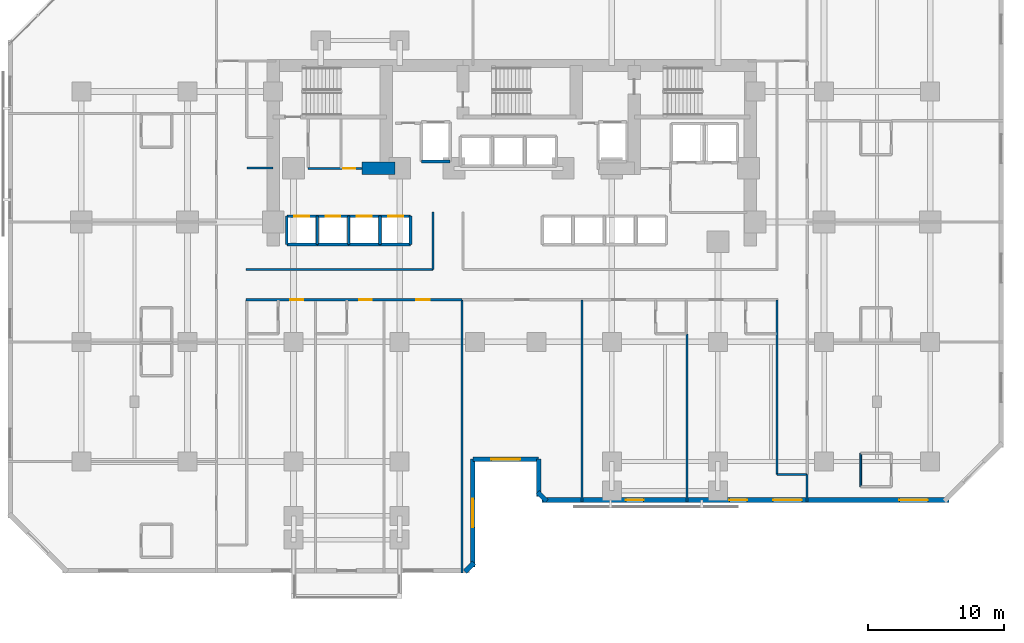
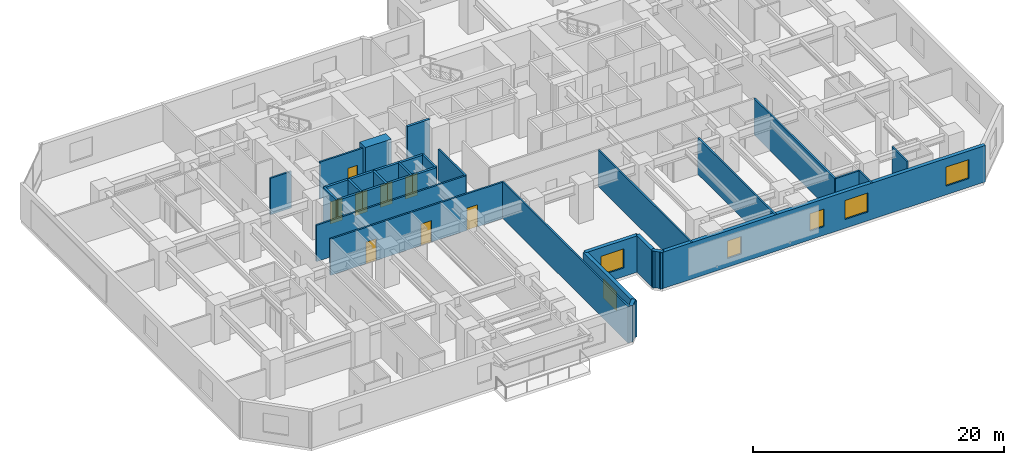
# One storey, part 6 of 12: 33 walls, 8 doors, 6 windows, 14 openings.
"""IFC4 building model written with IfcOpenShell, lengths in metres."""

from ifc_helpers import new_model, si_unit, direction, frame, frame_2d, origin, place, context, subcontext, project, spatial, rectangle, extrude, material, layer, layer_set, type_object, element, fill, save


model = new_model("IFC4")

# Units and contexts
model_context = context("Model", 3, precision=1e-05, world=origin(), true_north=direction((0.0, 1.0)))
body_context = subcontext(model_context, "Body", "Model", "MODEL_VIEW")
ifc_project = project(units=[si_unit("LENGTHUNIT", "METRE"), si_unit("AREAUNIT", "SQUARE_METRE"), si_unit("VOLUMEUNIT", "CUBIC_METRE"), si_unit("PLANEANGLEUNIT", "RADIAN"), si_unit("MASSUNIT", "GRAM", prefix="KILO")], contexts=[model_context])

# Site, building, storey
site_placement = place(None, origin())
site = spatial("IfcSite", under=ifc_project, at=site_placement, CompositionType="ELEMENT")
building_placement = place(site_placement, origin())
building = spatial("IfcBuilding", under=site, at=building_placement, Name="Kestravale Grand Hotel", CompositionType="ELEMENT")
storey_placement = place(building_placement, frame((0.0, 0.0, 64.0)))
storey = spatial("IfcBuildingStorey", under=building, at=storey_placement, Name="L15", CompositionType="ELEMENT", Elevation=64.0)

# Walls
ifc_material_1 = material(Name="Concrete f'c 70 MPa", Category="concrete")
ifc_layer_1 = layer(ifc_material_1, 0.89990234375)
ifc_layer_set_1 = layer_set([ifc_layer_1], Name="EW-CORE-900")
wall_type_1 = type_object("IfcWallType", Name="EW-CORE-900", PredefinedType="SHEAR", material=ifc_layer_set_1)
wall_1_placement = place(storey_placement, frame((28.449951171875, 32.75, 0.0), z_axis=(0.0, 0.0, 1.0), x_axis=(1.0, 0.0, 0.0)))
element("IfcWall", 1, at=wall_1_placement, inside=storey, type_object=wall_type_1, Name="L15 core shear wall S1", PredefinedType="SHEAR", context=body_context, shape_type="SweptSolid", body=[
    extrude(rectangle(XDim=2.400146484375, YDim=0.89990234375, at=frame_2d((1.2001953125, 0.0))), origin(), (0.0, 0.0, 1.0), 3.800048828125),
])
ifc_material_2 = material(Name="Precast concrete f'c 45 MPa", Category="concrete")
ifc_layer_2 = layer(ifc_material_2, 0.340087890625)
ifc_layer_set_2 = layer_set([ifc_layer_2], Name="EW-PREC-340")
wall_type_2 = type_object("IfcWallType", Name="EW-PREC-340", PredefinedType="SOLIDWALL", material=ifc_layer_set_2)
wall_2_placement = place(storey_placement, frame((36.00146484375, 3.091796875, 0.0), z_axis=(0.0, 0.0, 1.0), x_axis=(0.707106781187, 0.707106781187, 0.0)))
element("IfcWall", 2, at=wall_2_placement, inside=storey, type_object=wall_type_2, Name="L15 fluted precast facade wall 2", PredefinedType="SOLIDWALL", context=body_context, shape_type="SweptSolid", body=[
    extrude(rectangle(XDim=0.9287109375, YDim=0.340087890625, at=frame_2d((0.46435546875, 0.0))), origin(), (0.0, 0.0, 1.0), 3.5400390625),
])

# Wall, opening, window
wall_3_placement = place(storey_placement, frame((36.580078125, 3.429931640625, 0.0), z_axis=(0.0, 0.0, 1.0), x_axis=(0.0, 1.0, 0.0)))
wall_3 = element("IfcWall", 3, at=wall_3_placement, inside=storey, type_object=wall_type_2, Name="L15 fluted precast facade wall 3", PredefinedType="SOLIDWALL", context=body_context, shape_type="SweptSolid", body=[
    extrude(rectangle(XDim=7.940185546875, YDim=0.340087890625, at=frame_2d((3.97021484375, 0.0))), origin(), (0.0, 0.0, 1.0), 3.5400390625),
])
opening_1_placement = place(wall_3_placement, frame((2.919921875, 0.0, 0.85009765625)))
opening_1 = element("IfcOpeningElement", 4, at=opening_1_placement, cuts=wall_3, Name="Opening W-GUEST-2100", PredefinedType="OPENING", context=body_context, shape_type="SweptSolid", body=[
    extrude(rectangle(XDim=2.10009765625, YDim=1.85009765625, at=frame_2d((1.050048828125, 0.925048828125))), frame((0.0, 0.179931640625, 0.0), z_axis=(0.0, -1.0, 0.0), x_axis=(1.0, 0.0, 0.0)), (0.0, 0.0, 1.0), 0.360107421875),
])
ifc_material_3 = material(Name="Insulated low-E double glazing in aluminium frame", Category="aluminium")
window_type_1 = type_object("IfcWindowType", Name="W-GUEST-2100", PartitioningType="DOUBLE_PANEL_VERTICAL", PredefinedType="WINDOW", material=ifc_material_3)
window_1_placement = place(opening_1_placement, origin())
window_1 = element("IfcWindow", 5, at=window_1_placement, inside=storey, type_object=window_type_1, Name="L15 exterior window 3.1", OverallHeight=1.85009765625, OverallWidth=2.10009765625, PartitioningType="SINGLE_PANEL", PredefinedType="WINDOW", context=body_context, shape_type="SweptSolid", body=[
    extrude(rectangle(XDim=2.10009765625, YDim=1.85009765625, at=frame_2d((1.050048828125, 0.925048828125))), frame((0.0, 0.030029296875, 0.0), z_axis=(0.0, -1.0, 0.0), x_axis=(1.0, 0.0, 0.0)), (0.0, 0.0, 1.0), 0.06005859375),
])
fill(opening_1, window_1)

wall_4_placement = place(storey_placement, frame((36.580078125, 11.3701171875, 0.0), z_axis=(0.0, 0.0, 1.0), x_axis=(1.0, 0.0, 0.0)))
wall_4 = element("IfcWall", 6, at=wall_4_placement, inside=storey, type_object=wall_type_2, Name="L15 fluted precast facade wall 4", PredefinedType="SOLIDWALL", context=body_context, shape_type="SweptSolid", body=[
    extrude(rectangle(XDim=4.83984375, YDim=0.340087890625, at=frame_2d((2.419921875, 0.0))), origin(), (0.0, 0.0, 1.0), 3.5400390625),
])
opening_2_placement = place(wall_4_placement, frame((1.3701171875, 0.0, 0.85009765625)))
opening_2 = element("IfcOpeningElement", 7, at=opening_2_placement, cuts=wall_4, Name="Opening W-GUEST-2100", PredefinedType="OPENING", context=body_context, shape_type="SweptSolid", body=[
    extrude(rectangle(XDim=2.10009765625, YDim=1.85009765625, at=frame_2d((1.050048828125, 0.925048828125))), frame((0.0, 0.179931640625, 0.0), z_axis=(0.0, -1.0, 0.0), x_axis=(1.0, 0.0, 0.0)), (0.0, 0.0, 1.0), 0.360107421875),
])
window_2_placement = place(opening_2_placement, origin())
window_2 = element("IfcWindow", 8, at=window_2_placement, inside=storey, type_object=window_type_1, Name="L15 exterior window 4.1", OverallHeight=1.85009765625, OverallWidth=2.10009765625, PartitioningType="SINGLE_PANEL", PredefinedType="WINDOW", context=body_context, shape_type="SweptSolid", body=[
    extrude(rectangle(XDim=2.10009765625, YDim=1.85009765625, at=frame_2d((1.050048828125, 0.925048828125))), frame((0.0, 0.030029296875, 0.0), z_axis=(0.0, -1.0, 0.0), x_axis=(1.0, 0.0, 0.0)), (0.0, 0.0, 1.0), 0.06005859375),
])
fill(opening_2, window_2)

# Walls
wall_5_placement = place(storey_placement, frame((41.419921875, 11.3701171875, 0.0), z_axis=(0.0, 0.0, 1.0), x_axis=(0.0, -1.0, 0.0)))
element("IfcWall", 9, at=wall_5_placement, inside=storey, type_object=wall_type_2, Name="L15 fluted precast facade wall 5", PredefinedType="SOLIDWALL", context=body_context, shape_type="SweptSolid", body=[
    extrude(rectangle(XDim=2.740234375, YDim=0.340087890625, at=frame_2d((1.3701171875, 0.0))), origin(), (0.0, 0.0, 1.0), 3.5400390625),
])
wall_6_placement = place(storey_placement, frame((41.341796875, 8.948486328125, 0.0), z_axis=(0.0, 0.0, 1.0), x_axis=(0.707238225886, -0.706975312048, 0.0)))
element("IfcWall", 10, at=wall_6_placement, inside=storey, type_object=wall_type_2, Name="L15 fluted precast facade wall 6", PredefinedType="SOLIDWALL", context=body_context, shape_type="SweptSolid", body=[
    extrude(rectangle(XDim=0.9287109375, YDim=0.340087890625, at=frame_2d((0.46435546875, 0.0))), origin(), (0.0, 0.0, 1.0), 3.5400390625),
])

# Wall, openings, windows
wall_7_placement = place(storey_placement, frame((41.679931640625, 8.3701171875, 0.0), z_axis=(0.0, 0.0, 1.0), x_axis=(1.0, 0.0, 0.0)))
wall_7 = element("IfcWall", 11, at=wall_7_placement, inside=storey, type_object=wall_type_2, Name="L15 fluted precast facade wall 7", PredefinedType="SOLIDWALL", context=body_context, shape_type="SweptSolid", body=[
    extrude(rectangle(XDim=29.89013671875, YDim=0.340087890625, at=frame_2d((14.945068359375, 0.0))), origin(), (0.0, 0.0, 1.0), 3.5400390625),
])
opening_3_placement = place(wall_7_placement, frame((16.981201171875, 0.0, 0.85009765625)))
opening_3 = element("IfcOpeningElement", 12, at=opening_3_placement, cuts=wall_7, Name="Opening W-GUEST-2100", PredefinedType="OPENING", context=body_context, shape_type="SweptSolid", body=[
    extrude(rectangle(XDim=2.10009765625, YDim=1.85009765625, at=frame_2d((1.050048828125, 0.925048828125))), frame((0.0, 0.179931640625, 0.0), z_axis=(0.0, -1.0, 0.0), x_axis=(1.0, 0.0, 0.0)), (0.0, 0.0, 1.0), 0.360107421875),
])
opening_4_placement = place(wall_7_placement, frame((26.253662109375, 0.0, 0.85009765625)))
opening_4 = element("IfcOpeningElement", 13, at=opening_4_placement, cuts=wall_7, Name="Opening W-GUEST-2100", PredefinedType="OPENING", context=body_context, shape_type="SweptSolid", body=[
    extrude(rectangle(XDim=2.10009765625, YDim=1.85009765625, at=frame_2d((1.050048828125, 0.925048828125))), frame((0.0, 0.179931640625, 0.0), z_axis=(0.0, -1.0, 0.0), x_axis=(1.0, 0.0, 0.0)), (0.0, 0.0, 1.0), 0.360107421875),
])
opening_5_placement = place(wall_7_placement, frame((6.14990234375, 0.0, 0.85009765625)))
opening_5 = element("IfcOpeningElement", 14, at=opening_5_placement, cuts=wall_7, Name="Opening W-GUEST-1300", PredefinedType="OPENING", context=body_context, shape_type="SweptSolid", body=[
    extrude(rectangle(XDim=1.300048828125, YDim=1.699951171875, at=frame_2d((0.64990234375, 0.85009765625))), frame((0.0, 0.179931640625, 0.0), z_axis=(0.0, -1.0, 0.0), x_axis=(1.0, 0.0, 0.0)), (0.0, 0.0, 1.0), 0.360107421875),
])
opening_6_placement = place(wall_7_placement, frame((13.76318359375, 0.0, 0.85009765625)))
opening_6 = element("IfcOpeningElement", 15, at=opening_6_placement, cuts=wall_7, Name="Opening W-GUEST-1300", PredefinedType="OPENING", context=body_context, shape_type="SweptSolid", body=[
    extrude(rectangle(XDim=1.300048828125, YDim=1.699951171875, at=frame_2d((0.64990234375, 0.85009765625))), frame((0.0, 0.179931640625, 0.0), z_axis=(0.0, -1.0, 0.0), x_axis=(1.0, 0.0, 0.0)), (0.0, 0.0, 1.0), 0.360107421875),
])
ifc_material_4 = material(Name="Insulated low-E double glazing in aluminium frame", Category="aluminium")
window_type_2 = type_object("IfcWindowType", Name="W-GUEST-1300", PartitioningType="SINGLE_PANEL", PredefinedType="WINDOW", material=ifc_material_4)
window_3_placement = place(opening_5_placement, origin())
window_3 = element("IfcWindow", 16, at=window_3_placement, inside=storey, type_object=window_type_2, Name="L15 guestroom envelope window 2", OverallHeight=1.699951171875, OverallWidth=1.300048828125, PartitioningType="SINGLE_PANEL", PredefinedType="WINDOW", context=body_context, shape_type="SweptSolid", body=[
    extrude(rectangle(XDim=1.300048828125, YDim=1.699951171875, at=frame_2d((0.64990234375, 0.85009765625))), frame((0.0, 0.030029296875, 0.0), z_axis=(0.0, -1.0, 0.0), x_axis=(1.0, 0.0, 0.0)), (0.0, 0.0, 1.0), 0.06005859375),
])
fill(opening_5, window_3)
window_4_placement = place(opening_6_placement, origin())
window_4 = element("IfcWindow", 17, at=window_4_placement, inside=storey, type_object=window_type_2, Name="L15 guestroom envelope window 3", OverallHeight=1.699951171875, OverallWidth=1.300048828125, PartitioningType="SINGLE_PANEL", PredefinedType="WINDOW", context=body_context, shape_type="SweptSolid", body=[
    extrude(rectangle(XDim=1.300048828125, YDim=1.699951171875, at=frame_2d((0.64990234375, 0.85009765625))), frame((0.0, 0.030029296875, 0.0), z_axis=(0.0, -1.0, 0.0), x_axis=(1.0, 0.0, 0.0)), (0.0, 0.0, 1.0), 0.06005859375),
])
fill(opening_6, window_4)
window_5_placement = place(opening_3_placement, origin())
window_5 = element("IfcWindow", 18, at=window_5_placement, inside=storey, type_object=window_type_1, Name="L15 exterior window 7.1", OverallHeight=1.85009765625, OverallWidth=2.10009765625, PartitioningType="SINGLE_PANEL", PredefinedType="WINDOW", context=body_context, shape_type="SweptSolid", body=[
    extrude(rectangle(XDim=2.10009765625, YDim=1.85009765625, at=frame_2d((1.050048828125, 0.925048828125))), frame((0.0, 0.030029296875, 0.0), z_axis=(0.0, -1.0, 0.0), x_axis=(1.0, 0.0, 0.0)), (0.0, 0.0, 1.0), 0.06005859375),
])
fill(opening_3, window_5)
window_6_placement = place(opening_4_placement, origin())
window_6 = element("IfcWindow", 19, at=window_6_placement, inside=storey, type_object=window_type_1, Name="L15 exterior window 7.2", OverallHeight=1.85009765625, OverallWidth=2.10009765625, PartitioningType="SINGLE_PANEL", PredefinedType="WINDOW", context=body_context, shape_type="SweptSolid", body=[
    extrude(rectangle(XDim=2.10009765625, YDim=1.85009765625, at=frame_2d((1.050048828125, 0.925048828125))), frame((0.0, 0.030029296875, 0.0), z_axis=(0.0, -1.0, 0.0), x_axis=(1.0, 0.0, 0.0)), (0.0, 0.0, 1.0), 0.06005859375),
])
fill(opening_4, window_6)

# Wall, opening, door
ifc_material_5 = material(Name="Acoustic fire-rated gypsum board partition", Category="other")
ifc_layer_3 = layer(ifc_material_5, 0.159912109375)
ifc_layer_set_3 = layer_set([ifc_layer_3], Name="IW-CORR-160")
wall_type_3 = type_object("IfcWallType", Name="IW-CORR-160", PredefinedType="PARTITIONING", material=ifc_layer_set_3)
wall_8_placement = place(storey_placement, frame((24.47998046875, 32.75, 0.0), z_axis=(0.0, 0.0, 1.0), x_axis=(1.0, 0.0, 0.0)))
wall_8 = element("IfcWall", 20, at=wall_8_placement, inside=storey, type_object=wall_type_3, Name="W-L15-CWS", PredefinedType="PARTITIONING", context=body_context, shape_type="SweptSolid", body=[
    extrude(rectangle(XDim=3.969970703125, YDim=0.159912109375, at=frame_2d((1.98486328125, 0.0))), origin(), (0.0, 0.0, 1.0), 3.5400390625),
])
opening_7_placement = place(wall_8_placement, frame((2.574951171875, 0.0, 0.0)))
opening_7 = element("IfcOpeningElement", 21, at=opening_7_placement, cuts=wall_8, Name="Opening D-BATH-880", PredefinedType="OPENING", context=body_context, shape_type="SweptSolid", body=[
    extrude(rectangle(XDim=0.8798828125, YDim=2.050048828125, at=frame_2d((0.43994140625, 1.02490234375))), frame((0.0, 0.08984375, 0.0), z_axis=(0.0, -1.0, 0.0), x_axis=(1.0, 0.0, 0.0)), (0.0, 0.0, 1.0), 0.179931640625),
])
ifc_material_6 = material(Name="Moisture-sealed walnut en-suite bathroom door", Category="wood")
door_type_1 = type_object("IfcDoorType", Name="D-BATH-880", OperationType="NOTDEFINED", PredefinedType="DOOR", material=ifc_material_6)
door_1_placement = place(opening_7_placement, origin())
door_1 = element("IfcDoor", 22, at=door_1_placement, inside=storey, type_object=door_type_1, Name="D-L15-SWC", OperationType="SINGLE_SWING_RIGHT", OverallHeight=2.050048828125, OverallWidth=0.8798828125, PredefinedType="DOOR", context=body_context, shape_type="SweptSolid", body=[
    extrude(rectangle(XDim=0.8798828125, YDim=2.050048828125, at=frame_2d((0.43994140625, 1.02490234375))), frame((0.0, 0.02490234375, 0.0), z_axis=(0.0, -1.0, 0.0), x_axis=(1.0, 0.0, 0.0)), (0.0, 0.0, 1.0), 0.050048828125),
])
fill(opening_7, door_1)

# Walls
wall_9_placement = place(storey_placement, frame((19.89990234375, 25.31005859375, 0.0), z_axis=(0.0, 0.0, 1.0), x_axis=(1.0, 0.0, 0.0)))
element("IfcWall", 23, at=wall_9_placement, inside=storey, type_object=wall_type_3, Name="W-L15-CW-N", PredefinedType="PARTITIONING", context=body_context, shape_type="SweptSolid", body=[
    extrude(rectangle(XDim=13.75, YDim=0.159912109375, at=frame_2d((6.875, 0.0))), origin(), (0.0, 0.0, 1.0), 3.5400390625),
])
wall_10_placement = place(storey_placement, frame((33.64990234375, 25.31005859375, 0.0), z_axis=(0.0, 0.0, 1.0), x_axis=(0.0, 1.0, 0.0)))
element("IfcWall", 24, at=wall_10_placement, inside=storey, type_object=wall_type_3, Name="W-L15-TRUNK-W", PredefinedType="PARTITIONING", context=body_context, shape_type="SweptSolid", body=[
    extrude(rectangle(XDim=4.239990234375, YDim=0.159912109375, at=frame_2d((2.1201171875, 0.0))), origin(), (0.0, 0.0, 1.0), 3.5400390625),
])

# Wall, openings, doors
wall_11_placement = place(storey_placement, frame((19.89990234375, 23.090087890625, 0.0), z_axis=(0.0, 0.0, 1.0), x_axis=(1.0, 0.0, 0.0)))
wall_11 = element("IfcWall", 25, at=wall_11_placement, inside=storey, type_object=wall_type_3, Name="W-L15-CW-S", PredefinedType="PARTITIONING", context=body_context, shape_type="SweptSolid", body=[
    extrude(rectangle(XDim=15.900146484375, YDim=0.159912109375, at=frame_2d((7.9501953125, 0.0))), origin(), (0.0, 0.0, 1.0), 3.5400390625),
])
opening_8_placement = place(wall_11_placement, frame((3.264892578125, 0.0, 0.0)))
opening_8 = element("IfcOpeningElement", 26, at=opening_8_placement, cuts=wall_11, Name="Opening D-GUEST-950", PredefinedType="OPENING", context=body_context, shape_type="SweptSolid", body=[
    extrude(rectangle(XDim=0.949951171875, YDim=2.10009765625, at=frame_2d((0.47509765625, 1.050048828125))), frame((0.0, 0.08984375, 0.0), z_axis=(0.0, -1.0, 0.0), x_axis=(1.0, 0.0, 0.0)), (0.0, 0.0, 1.0), 0.179931640625),
])
opening_9_placement = place(wall_11_placement, frame((8.31494140625, 0.0, 0.0)))
opening_9 = element("IfcOpeningElement", 27, at=opening_9_placement, cuts=wall_11, Name="Opening D-GUEST-950", PredefinedType="OPENING", context=body_context, shape_type="SweptSolid", body=[
    extrude(rectangle(XDim=0.949951171875, YDim=2.10009765625, at=frame_2d((0.47509765625, 1.050048828125))), frame((0.0, 0.08984375, 0.0), z_axis=(0.0, -1.0, 0.0), x_axis=(1.0, 0.0, 0.0)), (0.0, 0.0, 1.0), 0.179931640625),
])
opening_10_placement = place(wall_11_placement, frame((12.530029296875, 0.0, 0.0)))
opening_10 = element("IfcOpeningElement", 28, at=opening_10_placement, cuts=wall_11, Name="Opening D-GUEST-1000", PredefinedType="OPENING", context=body_context, shape_type="SweptSolid", body=[
    extrude(rectangle(XDim=1.0, YDim=2.14990234375, at=frame_2d((0.5, 1.074951171875))), frame((0.0, 0.08984375, 0.0), z_axis=(0.0, -1.0, 0.0), x_axis=(1.0, 0.0, 0.0)), (0.0, 0.0, 1.0), 0.179931640625),
])
ifc_material_7 = material(Name="Accessible walnut veneer hotel entrance fire door", Category="wood")
door_type_2 = type_object("IfcDoorType", Name="D-GUEST-1000", OperationType="NOTDEFINED", PredefinedType="DOOR", material=ifc_material_7)
door_2_placement = place(opening_10_placement, origin())
door_2 = element("IfcDoor", 29, at=door_2_placement, inside=storey, type_object=door_type_2, Name="D-L15-AMW", OperationType="SINGLE_SWING_LEFT", OverallHeight=2.14990234375, OverallWidth=1.0, PredefinedType="DOOR", context=body_context, shape_type="SweptSolid", body=[
    extrude(rectangle(XDim=1.0, YDim=2.14990234375, at=frame_2d((0.5, 1.074951171875))), frame((0.0, 0.02490234375, 0.0), z_axis=(0.0, -1.0, 0.0), x_axis=(1.0, 0.0, 0.0)), (0.0, 0.0, 1.0), 0.050048828125),
])
fill(opening_10, door_2)
ifc_material_8 = material(Name="Walnut veneer hotel guestroom entrance fire door", Category="wood")
door_type_3 = type_object("IfcDoorType", Name="D-GUEST-950", OperationType="NOTDEFINED", PredefinedType="DOOR", material=ifc_material_8)
door_3_placement = place(opening_8_placement, origin())
door_3 = element("IfcDoor", 30, at=door_3_placement, inside=storey, type_object=door_type_3, Name="D-L15-U01-ENT", OperationType="SINGLE_SWING_RIGHT", OverallHeight=2.10009765625, OverallWidth=0.949951171875, PredefinedType="DOOR", context=body_context, shape_type="SweptSolid", body=[
    extrude(rectangle(XDim=0.949951171875, YDim=2.10009765625, at=frame_2d((0.47509765625, 1.050048828125))), frame((0.0, 0.02490234375, 0.0), z_axis=(0.0, -1.0, 0.0), x_axis=(1.0, 0.0, 0.0)), (0.0, 0.0, 1.0), 0.050048828125),
])
fill(opening_8, door_3)
door_4_placement = place(opening_9_placement, origin())
door_4 = element("IfcDoor", 31, at=door_4_placement, inside=storey, type_object=door_type_3, Name="D-L15-U02-ENT", OperationType="SINGLE_SWING_RIGHT", OverallHeight=2.10009765625, OverallWidth=0.949951171875, PredefinedType="DOOR", context=body_context, shape_type="SweptSolid", body=[
    extrude(rectangle(XDim=0.949951171875, YDim=2.10009765625, at=frame_2d((0.47509765625, 1.050048828125))), frame((0.0, 0.02490234375, 0.0), z_axis=(0.0, -1.0, 0.0), x_axis=(1.0, 0.0, 0.0)), (0.0, 0.0, 1.0), 0.050048828125),
])
fill(opening_9, door_4)

# Walls
wall_12_placement = place(storey_placement, frame((19.9599609375, 32.780029296875, 0.0), z_axis=(0.0, 0.0, 1.0), x_axis=(1.0, 0.0, 0.0)))
element("IfcWall", 32, at=wall_12_placement, inside=storey, type_object=wall_type_3, Name="W-L15-SW-CS", PredefinedType="PARTITIONING", context=body_context, shape_type="SweptSolid", body=[
    extrude(rectangle(XDim=1.93994140625, YDim=0.159912109375, at=frame_2d((0.969970703125, 0.0))), origin(), (0.0, 0.0, 1.0), 3.5400390625),
])
wall_13_placement = place(storey_placement, frame((58.93994140625, 10.25, 0.0), z_axis=(0.0, 0.0, 1.0), x_axis=(0.0, 1.0, 0.0)))
element("IfcWall", 33, at=wall_13_placement, inside=storey, type_object=wall_type_3, Name="W-L15-SE-W", PredefinedType="PARTITIONING", context=body_context, shape_type="SweptSolid", body=[
    extrude(rectangle(XDim=12.840087890625, YDim=0.159912109375, at=frame_2d((6.419921875, 0.0))), origin(), (0.0, 0.0, 1.0), 3.5400390625),
])
ifc_material_9 = material(Name="Moisture-resistant tile-backer plumbing chase wall", Category="other")
ifc_layer_4 = layer(ifc_material_9, 0.139892578125)
ifc_layer_set_4 = layer_set([ifc_layer_4], Name="IW-PLB-140")
wall_type_4 = type_object("IfcWallType", Name="IW-PLB-140", PredefinedType="PLUMBINGWALL", material=ifc_layer_set_4)
wall_14_placement = place(storey_placement, frame((65.10009765625, 9.35009765625, 0.0), z_axis=(0.0, 0.0, 1.0), x_axis=(0.0, 1.0, 0.0)))
element("IfcWall", 34, at=wall_14_placement, inside=storey, type_object=wall_type_4, Name="W-L15-U09-BW", PredefinedType="PLUMBINGWALL", context=body_context, shape_type="SweptSolid", body=[
    extrude(rectangle(XDim=2.449951171875, YDim=0.139892578125, at=frame_2d((1.22509765625, 0.0))), origin(), (0.0, 0.0, 1.0), 3.5400390625),
])
ifc_material_10 = material(Name="Concrete f'c 45 MPa", Category="concrete")
ifc_layer_5 = layer(ifc_material_10, 0.199951171875)
ifc_layer_set_5 = layer_set([ifc_layer_5], Name="IW-SHAFT-200")
wall_type_5 = type_object("IfcWallType", Name="IW-SHAFT-200", PredefinedType="SHEAR", material=ifc_layer_set_5)
for number, where, z_axis, x_axis, name in (
    (35, (22.905029296875, 27.169921875, 0.0), (0.0, 0.0, 1.0), (0.0, 1.0, 0.0), "L15 PL-L1 west shaft wall"),
    (36, (25.14990234375, 27.169921875, 0.0), (0.0, 0.0, 1.0), (0.0, 1.0, 0.0), "L15 PL-L2 west shaft wall"),
    (37, (27.449951171875, 27.169921875, 0.0), (0.0, 0.0, 1.0), (0.0, 1.0, 0.0), "L15 PL-L3 west shaft wall"),
    (38, (29.75, 27.169921875, 0.0), (0.0, 0.0, 1.0), (0.0, 1.0, 0.0), "L15 PL-L4 west shaft wall"),
    (39, (31.9951171875, 27.169921875, 0.0), (0.0, 0.0, 1.0), (0.0, 1.0, 0.0), "L15 PL-L4 east shaft wall"),
):
    element("IfcWall", number, at=place(storey_placement, frame(where, z_axis=z_axis, x_axis=x_axis)), inside=storey, type_object=wall_type_5, Name=name, PredefinedType="SHEAR", context=body_context, shape_type="SweptSolid", body=[
        extrude(rectangle(XDim=2.06005859375, YDim=0.199951171875, at=frame_2d((1.030029296875, 0.0))), origin(), (0.0, 0.0, 1.0), 3.800048828125),
    ])

# Wall, opening, door
ifc_material_11 = material(Name="Concrete f'c 45 MPa", Category="concrete")
ifc_layer_6 = layer(ifc_material_11, 0.219970703125)
ifc_layer_set_6 = layer_set([ifc_layer_6], Name="IW-SHAFT-220")
wall_type_6 = type_object("IfcWallType", Name="IW-SHAFT-220", PredefinedType="SHEAR", material=ifc_layer_set_6)
wall_15_placement = place(storey_placement, frame((22.905029296875, 29.22998046875, 0.0), z_axis=(0.0, 0.0, 1.0), x_axis=(1.0, 0.0, 0.0)))
wall_15 = element("IfcWall", 40, at=wall_15_placement, inside=storey, type_object=wall_type_6, Name="L15 PL-L1 north shaft wall", PredefinedType="SHEAR", context=body_context, shape_type="SweptSolid", body=[
    extrude(rectangle(XDim=2.244873046875, YDim=0.219970703125, at=frame_2d((1.12255859375, 0.0))), origin(), (0.0, 0.0, 1.0), 3.800048828125),
])
opening_11_placement = place(wall_15_placement, frame((0.544921875, 0.0, 0.0)))
opening_11 = element("IfcOpeningElement", 41, at=opening_11_placement, cuts=wall_15, Name="Opening LD-PAX-1100", PredefinedType="OPENING", context=body_context, shape_type="SweptSolid", body=[
    extrude(rectangle(XDim=1.10009765625, YDim=2.14990234375, at=frame_2d((0.550048828125, 1.074951171875))), frame((0.0, 0.119873046875, 0.0), z_axis=(0.0, -1.0, 0.0), x_axis=(1.0, 0.0, 0.0)), (0.0, 0.0, 1.0), 0.239990234375),
])
ifc_material_12 = material(Name="Champagne-bronze center-opening sliding elevator landing door", Category="steel")
door_type_4 = type_object("IfcDoorType", Name="LD-PAX-1100", OperationType="NOTDEFINED", PredefinedType="DOOR", material=ifc_material_12)
door_5_placement = place(opening_11_placement, origin())
door_5 = element("IfcDoor", 42, at=door_5_placement, inside=storey, type_object=door_type_4, Name="L15 PL-L1 elevator landing sliding door", OperationType="DOUBLE_DOOR_SLIDING", OverallHeight=2.14990234375, OverallWidth=1.10009765625, PredefinedType="DOOR", context=body_context, shape_type="SweptSolid", body=[
    extrude(rectangle(XDim=1.10009765625, YDim=2.14990234375, at=frame_2d((0.550048828125, 1.074951171875))), frame((0.0, 0.02490234375, 0.0), z_axis=(0.0, -1.0, 0.0), x_axis=(1.0, 0.0, 0.0)), (0.0, 0.0, 1.0), 0.050048828125),
])
fill(opening_11, door_5)

# Wall
wall_16_placement = place(storey_placement, frame((22.905029296875, 27.169921875, 0.0), z_axis=(0.0, 0.0, 1.0), x_axis=(1.0, 0.0, 0.0)))
element("IfcWall", 43, at=wall_16_placement, inside=storey, type_object=wall_type_6, Name="L15 PL-L1 south shaft wall", PredefinedType="SHEAR", context=body_context, shape_type="SweptSolid", body=[
    extrude(rectangle(XDim=2.244873046875, YDim=0.219970703125, at=frame_2d((1.12255859375, 0.0))), origin(), (0.0, 0.0, 1.0), 3.800048828125),
])

# Wall, opening, door
wall_17_placement = place(storey_placement, frame((25.14990234375, 29.22998046875, 0.0), z_axis=(0.0, 0.0, 1.0), x_axis=(1.0, 0.0, 0.0)))
wall_17 = element("IfcWall", 44, at=wall_17_placement, inside=storey, type_object=wall_type_6, Name="L15 PL-L2 north shaft wall", PredefinedType="SHEAR", context=body_context, shape_type="SweptSolid", body=[
    extrude(rectangle(XDim=2.300048828125, YDim=0.219970703125, at=frame_2d((1.14990234375, 0.0))), origin(), (0.0, 0.0, 1.0), 3.800048828125),
])
opening_12_placement = place(wall_17_placement, frame((0.60009765625, 0.0, 0.0)))
opening_12 = element("IfcOpeningElement", 45, at=opening_12_placement, cuts=wall_17, Name="Opening LD-PAX-1100", PredefinedType="OPENING", context=body_context, shape_type="SweptSolid", body=[
    extrude(rectangle(XDim=1.10009765625, YDim=2.14990234375, at=frame_2d((0.550048828125, 1.074951171875))), frame((0.0, 0.119873046875, 0.0), z_axis=(0.0, -1.0, 0.0), x_axis=(1.0, 0.0, 0.0)), (0.0, 0.0, 1.0), 0.239990234375),
])
door_6_placement = place(opening_12_placement, origin())
door_6 = element("IfcDoor", 46, at=door_6_placement, inside=storey, type_object=door_type_4, Name="L15 PL-L2 elevator landing sliding door", OperationType="DOUBLE_DOOR_SLIDING", OverallHeight=2.14990234375, OverallWidth=1.10009765625, PredefinedType="DOOR", context=body_context, shape_type="SweptSolid", body=[
    extrude(rectangle(XDim=1.10009765625, YDim=2.14990234375, at=frame_2d((0.550048828125, 1.074951171875))), frame((0.0, 0.02490234375, 0.0), z_axis=(0.0, -1.0, 0.0), x_axis=(1.0, 0.0, 0.0)), (0.0, 0.0, 1.0), 0.050048828125),
])
fill(opening_12, door_6)

# Wall
wall_18_placement = place(storey_placement, frame((25.14990234375, 27.169921875, 0.0), z_axis=(0.0, 0.0, 1.0), x_axis=(1.0, 0.0, 0.0)))
element("IfcWall", 47, at=wall_18_placement, inside=storey, type_object=wall_type_6, Name="L15 PL-L2 south shaft wall", PredefinedType="SHEAR", context=body_context, shape_type="SweptSolid", body=[
    extrude(rectangle(XDim=2.300048828125, YDim=0.219970703125, at=frame_2d((1.14990234375, 0.0))), origin(), (0.0, 0.0, 1.0), 3.800048828125),
])

# Wall, opening, door
wall_19_placement = place(storey_placement, frame((27.449951171875, 29.22998046875, 0.0), z_axis=(0.0, 0.0, 1.0), x_axis=(1.0, 0.0, 0.0)))
wall_19 = element("IfcWall", 48, at=wall_19_placement, inside=storey, type_object=wall_type_6, Name="L15 PL-L3 north shaft wall", PredefinedType="SHEAR", context=body_context, shape_type="SweptSolid", body=[
    extrude(rectangle(XDim=2.300048828125, YDim=0.219970703125, at=frame_2d((1.14990234375, 0.0))), origin(), (0.0, 0.0, 1.0), 3.800048828125),
])
opening_13_placement = place(wall_19_placement, frame((0.60009765625, 0.0, 0.0)))
opening_13 = element("IfcOpeningElement", 49, at=opening_13_placement, cuts=wall_19, Name="Opening LD-PAX-1100", PredefinedType="OPENING", context=body_context, shape_type="SweptSolid", body=[
    extrude(rectangle(XDim=1.10009765625, YDim=2.14990234375, at=frame_2d((0.550048828125, 1.074951171875))), frame((0.0, 0.119873046875, 0.0), z_axis=(0.0, -1.0, 0.0), x_axis=(1.0, 0.0, 0.0)), (0.0, 0.0, 1.0), 0.239990234375),
])
door_7_placement = place(opening_13_placement, origin())
door_7 = element("IfcDoor", 50, at=door_7_placement, inside=storey, type_object=door_type_4, Name="L15 PL-L3 elevator landing sliding door", OperationType="DOUBLE_DOOR_SLIDING", OverallHeight=2.14990234375, OverallWidth=1.10009765625, PredefinedType="DOOR", context=body_context, shape_type="SweptSolid", body=[
    extrude(rectangle(XDim=1.10009765625, YDim=2.14990234375, at=frame_2d((0.550048828125, 1.074951171875))), frame((0.0, 0.02490234375, 0.0), z_axis=(0.0, -1.0, 0.0), x_axis=(1.0, 0.0, 0.0)), (0.0, 0.0, 1.0), 0.050048828125),
])
fill(opening_13, door_7)

# Wall
wall_20_placement = place(storey_placement, frame((27.449951171875, 27.169921875, 0.0), z_axis=(0.0, 0.0, 1.0), x_axis=(1.0, 0.0, 0.0)))
element("IfcWall", 51, at=wall_20_placement, inside=storey, type_object=wall_type_6, Name="L15 PL-L3 south shaft wall", PredefinedType="SHEAR", context=body_context, shape_type="SweptSolid", body=[
    extrude(rectangle(XDim=2.300048828125, YDim=0.219970703125, at=frame_2d((1.14990234375, 0.0))), origin(), (0.0, 0.0, 1.0), 3.800048828125),
])

# Wall, opening, door
wall_21_placement = place(storey_placement, frame((29.75, 29.22998046875, 0.0), z_axis=(0.0, 0.0, 1.0), x_axis=(1.0, 0.0, 0.0)))
wall_21 = element("IfcWall", 52, at=wall_21_placement, inside=storey, type_object=wall_type_6, Name="L15 PL-L4 north shaft wall", PredefinedType="SHEAR", context=body_context, shape_type="SweptSolid", body=[
    extrude(rectangle(XDim=2.2451171875, YDim=0.219970703125, at=frame_2d((1.12255859375, 0.0))), origin(), (0.0, 0.0, 1.0), 3.800048828125),
])
opening_14_placement = place(wall_21_placement, frame((0.60009765625, 0.0, 0.0)))
opening_14 = element("IfcOpeningElement", 53, at=opening_14_placement, cuts=wall_21, Name="Opening LD-PAX-1100", PredefinedType="OPENING", context=body_context, shape_type="SweptSolid", body=[
    extrude(rectangle(XDim=1.10009765625, YDim=2.14990234375, at=frame_2d((0.550048828125, 1.074951171875))), frame((0.0, 0.119873046875, 0.0), z_axis=(0.0, -1.0, 0.0), x_axis=(1.0, 0.0, 0.0)), (0.0, 0.0, 1.0), 0.239990234375),
])
door_8_placement = place(opening_14_placement, origin())
door_8 = element("IfcDoor", 54, at=door_8_placement, inside=storey, type_object=door_type_4, Name="L15 PL-L4 elevator landing sliding door", OperationType="DOUBLE_DOOR_SLIDING", OverallHeight=2.14990234375, OverallWidth=1.10009765625, PredefinedType="DOOR", context=body_context, shape_type="SweptSolid", body=[
    extrude(rectangle(XDim=1.10009765625, YDim=2.14990234375, at=frame_2d((0.550048828125, 1.074951171875))), frame((0.0, 0.02490234375, 0.0), z_axis=(0.0, -1.0, 0.0), x_axis=(1.0, 0.0, 0.0)), (0.0, 0.0, 1.0), 0.050048828125),
])
fill(opening_14, door_8)

# Walls
wall_22_placement = place(storey_placement, frame((29.75, 27.169921875, 0.0), z_axis=(0.0, 0.0, 1.0), x_axis=(1.0, 0.0, 0.0)))
element("IfcWall", 55, at=wall_22_placement, inside=storey, type_object=wall_type_6, Name="L15 PL-L4 south shaft wall", PredefinedType="SHEAR", context=body_context, shape_type="SweptSolid", body=[
    extrude(rectangle(XDim=2.2451171875, YDim=0.219970703125, at=frame_2d((1.12255859375, 0.0))), origin(), (0.0, 0.0, 1.0), 3.800048828125),
])
wall_23_placement = place(storey_placement, frame((32.804931640625, 33.2451171875, 0.0), z_axis=(0.0, 0.0, 1.0), x_axis=(1.0, 0.0, 0.0)))
element("IfcWall", 56, at=wall_23_placement, inside=storey, type_object=wall_type_6, Name="L15 FL-1 south shaft wall", PredefinedType="SHEAR", context=body_context, shape_type="SweptSolid", body=[
    extrude(rectangle(XDim=2.090087890625, YDim=0.219970703125, at=frame_2d((1.044921875, 0.0))), origin(), (0.0, 0.0, 1.0), 3.800048828125),
])
ifc_material_13 = material(Name="Double-stud STC 52 acoustic demising partition", Category="other")
ifc_layer_7 = layer(ifc_material_13, 0.14990234375)
ifc_layer_set_7 = layer_set([ifc_layer_7], Name="IW-UNIT-150")
wall_type_7 = type_object("IfcWallType", Name="IW-UNIT-150", PredefinedType="PARTITIONING", material=ifc_layer_set_7)
wall_24_placement = place(storey_placement, frame((58.93994140625, 10.25, 0.0), z_axis=(0.0, 0.0, 1.0), x_axis=(1.0, 0.0, 0.0)))
element("IfcWall", 57, at=wall_24_placement, inside=storey, type_object=wall_type_7, Name="W-L15-SE-S", PredefinedType="PARTITIONING", context=body_context, shape_type="SweptSolid", body=[
    extrude(rectangle(XDim=2.219970703125, YDim=0.14990234375, at=frame_2d((1.10986328125, 0.0))), origin(), (0.0, 0.0, 1.0), 3.5400390625),
])
wall_25_placement = place(storey_placement, frame((35.800048828125, 3.02001953125, 0.0), z_axis=(0.0, 0.0, 1.0), x_axis=(0.0, 1.0, 0.0)))
element("IfcWall", 58, at=wall_25_placement, inside=storey, type_object=wall_type_7, Name="W-L15-MID-S", PredefinedType="PARTITIONING", context=body_context, shape_type="SweptSolid", body=[
    extrude(rectangle(XDim=20.050048828125, YDim=0.14990234375, at=frame_2d((10.02490234375, 0.0))), origin(), (0.0, 0.0, 1.0), 3.5400390625),
])
wall_26_placement = place(storey_placement, frame((44.61328125, 8.219970703125, 0.0), z_axis=(0.0, 0.0, 1.0), x_axis=(0.0, 1.0, 0.0)))
element("IfcWall", 59, at=wall_26_placement, inside=storey, type_object=wall_type_7, Name="W-L15-ES-1", PredefinedType="PARTITIONING", context=body_context, shape_type="SweptSolid", body=[
    extrude(rectangle(XDim=14.8701171875, YDim=0.14990234375, at=frame_2d((7.43505859375, 0.0))), origin(), (0.0, 0.0, 1.0), 3.5400390625),
])
wall_27_placement = place(storey_placement, frame((52.32666015625, 8.219970703125, 0.0), z_axis=(0.0, 0.0, 1.0), x_axis=(0.0, 1.0, 0.0)))
element("IfcWall", 60, at=wall_27_placement, inside=storey, type_object=wall_type_7, Name="W-L15-ES-2", PredefinedType="PARTITIONING", context=body_context, shape_type="SweptSolid", body=[
    extrude(rectangle(XDim=12.360107421875, YDim=0.14990234375, at=frame_2d((6.18017578125, 0.0))), origin(), (0.0, 0.0, 1.0), 3.5400390625),
])
wall_28_placement = place(storey_placement, frame((61.159912109375, 8.219970703125, 0.0), z_axis=(0.0, 0.0, 1.0), x_axis=(0.0, 1.0, 0.0)))
element("IfcWall", 61, at=wall_28_placement, inside=storey, type_object=wall_type_7, Name="W-L15-SE-EXT", PredefinedType="PARTITIONING", context=body_context, shape_type="SweptSolid", body=[
    extrude(rectangle(XDim=2.030029296875, YDim=0.14990234375, at=frame_2d((1.01513671875, 0.0))), origin(), (0.0, 0.0, 1.0), 3.5400390625),
])

save(model, "model.ifc")
